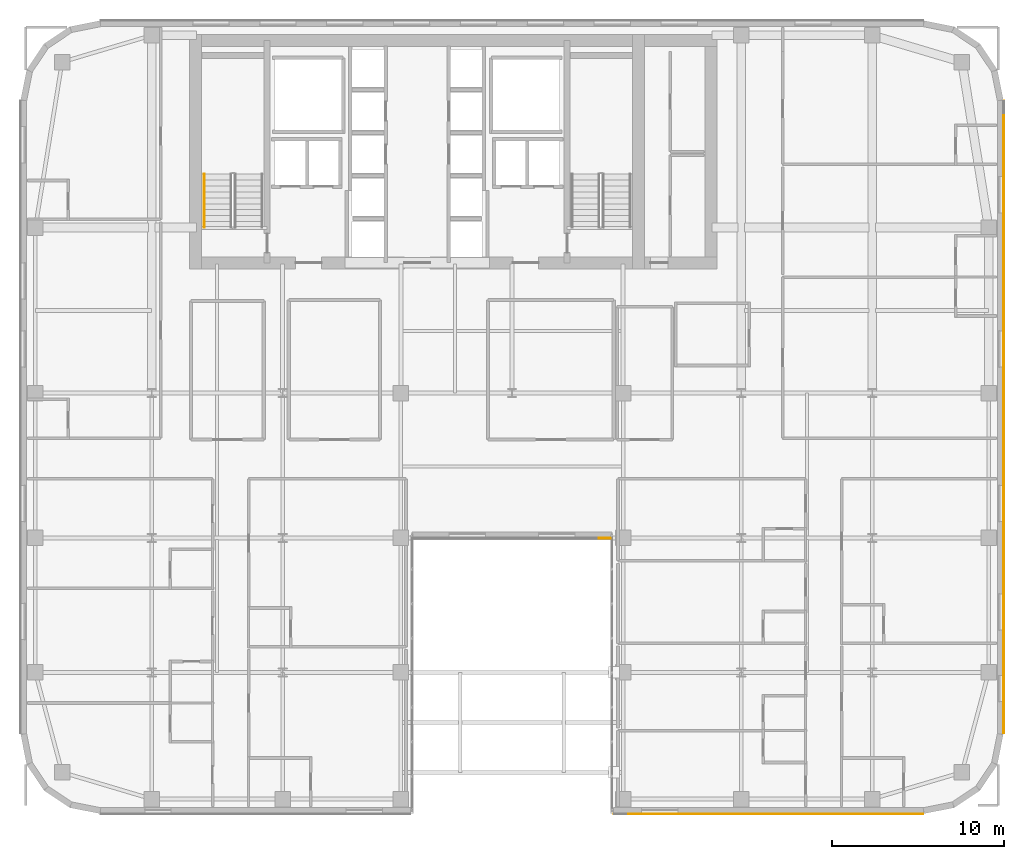
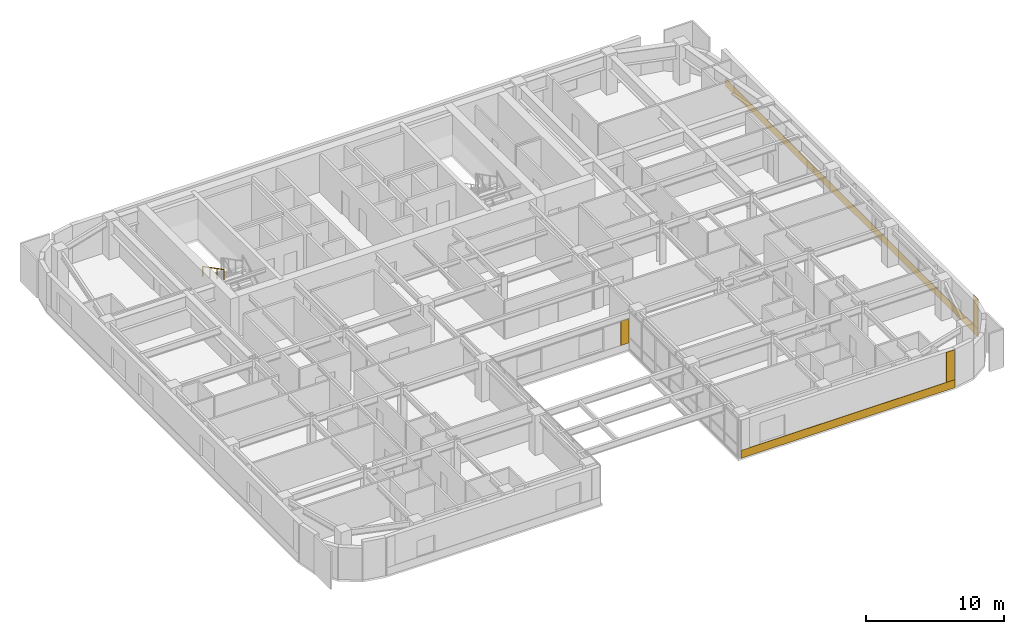
# One storey, part 21 of 24: 5 coverings, 1 railing.
"""IFC4 building model written with IfcOpenShell, lengths in metres."""

import ifcopenshell
import ifcopenshell.guid

model = None  # the IFC model being written
_history = None  # IfcOwnerHistory: only IFC2X3 demands one
_inside = {}  # id of a spatial element -> (the spatial element, [elements in it])
_under = {}  # id of a project, library or spatial element -> (it, [spatial elements below it])
_declared = {}  # id of a project -> (the project, [libraries it declares])
_typed = {}  # id of a type object -> (the type object, [elements of that type])
_made_of = {}  # id of a material, layer set ... -> (it, [elements and type objects made of it])


def new_model(schema):
    """Start an empty IFC model of exactly this schema.

    Asked for "IFC4X3", IfcOpenShell would pick the latest addendum, in which some entities
    have other attributes; the version numbers below select the first issue.
    IFC2X3 requires an IfcOwnerHistory on every rooted entity: one is made here for all.
    """
    global model, _history
    if schema == "IFC4X3":
        model = ifcopenshell.file(schema_version=(4, 3, 0, 0))
    else:
        model = ifcopenshell.file(schema=schema)
    _inside.clear()
    _under.clear()
    _declared.clear()
    _typed.clear()
    _made_of.clear()
    _history = None
    if model.schema == "IFC2X3":
        org = make("IfcOrganization", Name="unknown")
        user = make(
            "IfcPersonAndOrganization",
            ThePerson=make("IfcPerson", FamilyName="unknown"),
            TheOrganization=org,
        )
        app = make(
            "IfcApplication",
            ApplicationDeveloper=org,
            Version="unknown",
            ApplicationFullName="unknown",
            ApplicationIdentifier="unknown",
        )
        _history = make(
            "IfcOwnerHistory",
            OwningUser=user,
            OwningApplication=app,
            ChangeAction="ADDED",
            CreationDate=0,
        )
    return model


def make(cls, **values):
    """One entity of the class cls with the attributes given. An attribute that is None is left unset."""
    return model.create_entity(
        cls, **{name: value for name, value in values.items() if value is not None}
    )


def rooted(cls, **values):
    """An entity with a GlobalId (a new one), such as an element, a storey or a relation."""
    return make(cls, GlobalId=ifcopenshell.guid.new(), OwnerHistory=_history, **values)


def si_unit(unit_type, name, prefix=None):
    """IfcSIUnit, for example si_unit("LENGTHUNIT", "METRE", prefix="MILLI")."""
    return make("IfcSIUnit", UnitType=unit_type, Prefix=prefix, Name=name)


def assignment(units):
    """IfcUnitAssignment: the units of a project."""
    return None if units is None else make("IfcUnitAssignment", Units=units)


def point(xyz):
    """IfcCartesianPoint."""
    return None if xyz is None else make("IfcCartesianPoint", Coordinates=xyz)


def direction(xyz):
    """IfcDirection."""
    return None if xyz is None else make("IfcDirection", DirectionRatios=xyz)


def frame(location, z_axis=None, x_axis=None):
    """IfcAxis2Placement3D, a coordinate frame: its origin and axes. An axis left out is left unset."""
    return make(
        "IfcAxis2Placement3D",
        Location=point(location),
        Axis=direction(z_axis),
        RefDirection=direction(x_axis),
    )


def frame_2d(location, x_axis=None):
    """IfcAxis2Placement2D, a coordinate frame in the plane: its origin and x axis."""
    return make(
        "IfcAxis2Placement2D", Location=point(location), RefDirection=direction(x_axis)
    )


def origin():
    """The frame at (0, 0, 0) with its axes left unset."""
    return frame((0.0, 0.0, 0.0))


def origin_2d():
    """The frame at (0, 0) in the plane with its x axis left unset."""
    return frame_2d((0.0, 0.0))


def place(relative_to, where):
    """IfcLocalPlacement: puts the frame where relative to a parent placement (None: the world)."""
    return make(
        "IfcLocalPlacement", PlacementRelTo=relative_to, RelativePlacement=where
    )


def context(
    kind, dimensions, precision=None, world=None, true_north=None, identifier=None
):
    """IfcGeometricRepresentationContext, for example the 3D "Model" context."""
    return make(
        "IfcGeometricRepresentationContext",
        ContextIdentifier=identifier,
        ContextType=kind,
        CoordinateSpaceDimension=dimensions,
        Precision=precision,
        WorldCoordinateSystem=world,
        TrueNorth=true_north,
    )


def subcontext(parent, identifier, kind, view, scale=None):
    """IfcGeometricRepresentationSubContext, for example "Body" below "Model"."""
    return make(
        "IfcGeometricRepresentationSubContext",
        ContextIdentifier=identifier,
        ContextType=kind,
        ParentContext=parent,
        TargetScale=scale,
        TargetView=view,
    )


def project(units=None, contexts=None):
    """IfcProject with its units and contexts."""
    return rooted(
        "IfcProject",
        Name="project",
        RepresentationContexts=contexts,
        UnitsInContext=assignment(units),
    )


def spatial(cls, under=None, at=None, **own):
    """A site, building, storey or space (cls), placed at a placement, below another one or the project."""
    s = rooted(cls, ObjectPlacement=at, **own)
    if under is not None:
        _under.setdefault(under.id(), (under, []))[1].append(s)
    return s


def polyline(points):
    """IfcPolyline through the points."""
    return make("IfcPolyline", Points=[point(p) for p in points])


def profile(cls, at=None, kind="AREA", **sizes):
    """A parametric profile (cls). Its sizes go by their IFC names, for example OverallWidth=200.0."""
    return make(cls, ProfileType=kind, Position=at, **sizes)


def circle(**sizes):
    """IfcCircleProfileDef."""
    return profile("IfcCircleProfileDef", **sizes)


def outline(outer, holes=None, kind="AREA"):
    """IfcArbitraryClosedProfileDef: a profile drawn as a closed curve; with holes, ...WithVoids."""
    if holes is None:
        return make("IfcArbitraryClosedProfileDef", ProfileType=kind, OuterCurve=outer)
    return make(
        "IfcArbitraryProfileDefWithVoids",
        ProfileType=kind,
        OuterCurve=outer,
        InnerCurves=holes,
    )


def extrude(swept, where, along, depth):
    """IfcExtrudedAreaSolid: the profile swept, set in the frame where, extruded along a direction by depth."""
    return make(
        "IfcExtrudedAreaSolid",
        SweptArea=swept,
        Position=where,
        ExtrudedDirection=direction(along),
        Depth=depth,
    )


def shape(context_of_items, identifier, shape_type, items):
    """IfcShapeRepresentation: the items that make up one representation, for example the "Body"."""
    return make(
        "IfcShapeRepresentation",
        ContextOfItems=context_of_items,
        RepresentationIdentifier=identifier,
        RepresentationType=shape_type,
        Items=items,
    )


def material(Name=None, Category=None):
    """IfcMaterial."""
    return make("IfcMaterial", Name=Name, Category=Category)


def layer(
    of_material, thickness, ventilated=None, Name=None, Category=None, Priority=None
):
    """IfcMaterialLayer: one layer of a wall or slab, of a material (None: an air gap)."""
    return make(
        "IfcMaterialLayer",
        Material=of_material,
        LayerThickness=thickness,
        IsVentilated=ventilated,
        Name=Name,
        Category=Category,
        Priority=Priority,
    )


def layer_set(layers, Name=None):
    """IfcMaterialLayerSet."""
    return make("IfcMaterialLayerSet", MaterialLayers=layers, LayerSetName=Name)


def made_of(thing, what):
    """Note that an element or type object is made of a material, layer set ...; save() writes the relation."""
    if what is not None:
        _made_of.setdefault(what.id(), (what, []))[1].append(thing)
    return thing


def type_object(cls, material=None, **own):
    """A type object (cls), such as IfcWallType, which elements share."""
    return made_of(rooted(cls, **own), material)


def element(
    cls,
    number,
    at=None,
    inside=None,
    cuts=None,
    type_object=None,
    material=None,
    context=None,
    identifier="Body",
    shape_type=None,
    held_by="IfcProductDefinitionShape",
    body=None,
    shapes=None,
    **own,
):
    """One element of the class cls, such as IfcWall. Its Tag is "e" and its number.

    at: its placement. inside: the storey or other place that contains it. cuts: it is an
    opening in that element (IfcRelVoidsElement). A single representation is given by context,
    identifier, shape_type and body (its items); several are given by shapes. held_by: the class
    of the entity that holds the representations. save() writes the other relations.
    """
    e = rooted(cls, Tag="e%d" % number, ObjectPlacement=at, **own)
    if body is not None:
        shapes = [shape(context, identifier, shape_type, body)]
    if shapes is not None:
        e.Representation = make(held_by, Representations=shapes)
    if inside is not None:
        _inside.setdefault(inside.id(), (inside, []))[1].append(e)
    if cuts is not None:
        rooted(
            "IfcRelVoidsElement", RelatingBuildingElement=cuts, RelatedOpeningElement=e
        )
    if type_object is not None:
        _typed.setdefault(type_object.id(), (type_object, []))[1].append(e)
    return made_of(e, material)


def aggregate(whole, parts):
    """IfcRelAggregates: a whole, such as a stair, and the parts it consists of."""
    return rooted("IfcRelAggregates", RelatingObject=whole, RelatedObjects=parts)


def save(model, path):
    """Write the relations noted so far, then the file.

    IfcRelAggregates (storeys below a building ...), IfcRelContainedInSpatialStructure (elements
    in a storey), IfcRelDefinesByType, IfcRelAssociatesMaterial and IfcRelDeclares: one each for
    every whole, place, type object, material and project.
    """
    for whole, parts in _under.values():
        aggregate(whole, parts)
    for where, things in _inside.values():
        rooted(
            "IfcRelContainedInSpatialStructure",
            RelatedElements=things,
            RelatingStructure=where,
        )
    for kind, things in _typed.values():
        rooted("IfcRelDefinesByType", RelatedObjects=things, RelatingType=kind)
    for what, things in _made_of.values():
        rooted("IfcRelAssociatesMaterial", RelatedObjects=things, RelatingMaterial=what)
    for by, libraries in _declared.values():
        rooted("IfcRelDeclares", RelatingContext=by, RelatedDefinitions=libraries)
    model.write(path)


model = new_model("IFC4")

# Units and contexts
model_context = context("Model", 3, precision=1e-05, world=origin(), true_north=direction((0.0, 1.0)))
body_context = subcontext(model_context, "Body", "Model", "MODEL_VIEW")
ifc_project = project(units=[si_unit("LENGTHUNIT", "METRE"), si_unit("AREAUNIT", "SQUARE_METRE"), si_unit("VOLUMEUNIT", "CUBIC_METRE"), si_unit("PLANEANGLEUNIT", "RADIAN"), si_unit("MASSUNIT", "GRAM", prefix="KILO")], contexts=[model_context])

# Site, building, storey
site_placement = place(None, origin())
site = spatial("IfcSite", under=ifc_project, at=site_placement, CompositionType="ELEMENT")
building_placement = place(site_placement, origin())
building = spatial("IfcBuilding", under=site, at=building_placement, Name="Tolvann Quenvar Hotel", CompositionType="ELEMENT")
storey_placement = place(building_placement, frame((0.0, 0.0, 118.64990234375)))
storey = spatial("IfcBuildingStorey", under=building, at=storey_placement, Name="L30", CompositionType="ELEMENT", Elevation=118.64990234375)

# Coverings
ifc_material_1 = material(Name="Kiln-fired red architectural face brick cladding", Category="masonry")
ifc_layer_1 = layer(ifc_material_1, 0.0400390625)
ifc_layer_set_1 = layer_set([ifc_layer_1], Name="Kiln-fired red architectural face brick cladding")
covering_type_1 = type_object("IfcCoveringType", Name="COV_CLAD_BRICK_40", PredefinedType="CLADDING", material=ifc_layer_set_1)
covering_1_placement = place(storey_placement, frame((0.0, 0.0, 0.604736328125)))
element("IfcCovering", 1, at=covering_1_placement, inside=storey, type_object=covering_type_1, Name="Brick Pier Cladding (L30-E06-P2)", PredefinedType="CLADDING", context=body_context, shape_type="SweptSolid", body=[
    extrude(outline(polyline([(33.5400390625, 16.0), (34.239990234375, 16.0), (34.239990234375, 15.9599609375), (33.5400390625, 15.9599609375), (33.5400390625, 16.0)])), origin(), (0.0, 0.0, 1.0), 2.143310546875),
])
covering_2_placement = place(storey_placement, frame((0.0, 0.0, 0.7001953125)))
element("IfcCovering", 2, at=covering_2_placement, inside=storey, type_object=covering_type_1, Name="Brick Pier Cladding (L30-E08-P2)", PredefinedType="CLADDING", context=body_context, shape_type="SweptSolid", body=[
    extrude(outline(polyline([(51.6328125, 0.0), (52.332763671875, 0.0), (52.332763671875, -0.0400390625), (51.6328125, -0.0400390625), (51.6328125, 0.0)])), origin(), (0.0, 0.0, 1.0), 2.669921875),
])
covering_3_placement = place(storey_placement, frame((0.0, 0.0, 0.7001953125)))
element("IfcCovering", 3, at=covering_3_placement, inside=storey, type_object=covering_type_1, Name="Brick Pier Cladding (L30-E13-P1)", PredefinedType="CLADDING", context=body_context, shape_type="SweptSolid", body=[
    extrude(outline(polyline([(57.0, 4.667236328125), (57.0, 5.3671875), (57.0400390625, 5.3671875), (57.0400390625, 4.667236328125), (57.0, 4.667236328125)])), origin(), (0.0, 0.0, 1.0), 2.669921875),
])
ifc_material_2 = material(Name="Moulded buff architectural terracotta spandrel cladding", Category="masonry")
ifc_layer_2 = layer(ifc_material_2, 0.0400390625)
ifc_layer_set_2 = layer_set([ifc_layer_2], Name="Moulded buff architectural terracotta spandrel cladding")
covering_type_2 = type_object("IfcCoveringType", Name="COV_CLAD_TERRA_40", PredefinedType="CLADDING", material=ifc_layer_set_2)
covering_4_placement = place(storey_placement, origin())
element("IfcCovering", 4, at=covering_4_placement, inside=storey, type_object=covering_type_2, Name="Terracotta Spandrel Cladding (L30-E08)", PredefinedType="CLADDING", context=body_context, shape_type="SweptSolid", body=[
    extrude(outline(polyline([(34.4150390625, 0.0), (52.3427734375, 0.0), (52.3427734375, -0.0400390625), (34.4150390625, -0.0400390625), (34.4150390625, 0.0)])), origin(), (0.0, 0.0, 1.0), 0.7001953125),
])
covering_5_placement = place(storey_placement, origin())
element("IfcCovering", 5, at=covering_5_placement, inside=storey, type_object=covering_type_2, Name="Terracotta Spandrel Cladding (L30-E13)", PredefinedType="CLADDING", context=body_context, shape_type="SweptSolid", body=[
    extrude(outline(polyline([(57.0, 4.6572265625), (57.0, 41.3427734375), (57.0400390625, 41.3427734375), (57.0400390625, 4.6572265625), (57.0, 4.6572265625)])), origin(), (0.0, 0.0, 1.0), 0.7001953125),
])

# Railing
ifc_material_3 = material(Name="Brushed 316 stainless steel balustrade and handrail", Category="steel")
railing_type = type_object("IfcRailingType", Name="HANDRAIL", PredefinedType="HANDRAIL", material=ifc_material_3)
railing_placement = place(storey_placement, frame((10.64990234375, 37.10498046875, 1.95263671875)))
element("IfcRailing", 6, at=railing_placement, inside=storey, type_object=railing_type, Name="L30 ST-C1 stair handrail 2", PredefinedType="HANDRAIL", context=body_context, shape_type="SweptSolid", body=[
    extrude(circle(Radius=0.02392578125, at=origin_2d()), frame((0.0, 0.0, 0.8759765625), z_axis=(0.0, -0.889221982265, 0.45747597342), x_axis=(1.0, 0.0, 0.0)), (0.0, 0.0, 1.0), 3.49169921875),
    extrude(circle(Radius=0.02099609375, at=origin_2d()), origin(), (0.0, 0.0, 1.0), 0.851806640625),
    extrude(circle(Radius=0.02099609375, at=origin_2d()), frame((0.0, -1.034912109375, 0.532470703125)), (0.0, 0.0, 1.0), 0.851806640625),
    extrude(circle(Radius=0.02099609375, at=origin_2d()), frame((0.0, -2.070068359375, 1.06494140625)), (0.0, 0.0, 1.0), 0.851806640625),
    extrude(circle(Radius=0.02099609375, at=origin_2d()), frame((0.0, -3.10498046875, 1.597412109375)), (0.0, 0.0, 1.0), 0.851806640625),
])

save(model, "model.ifc")
